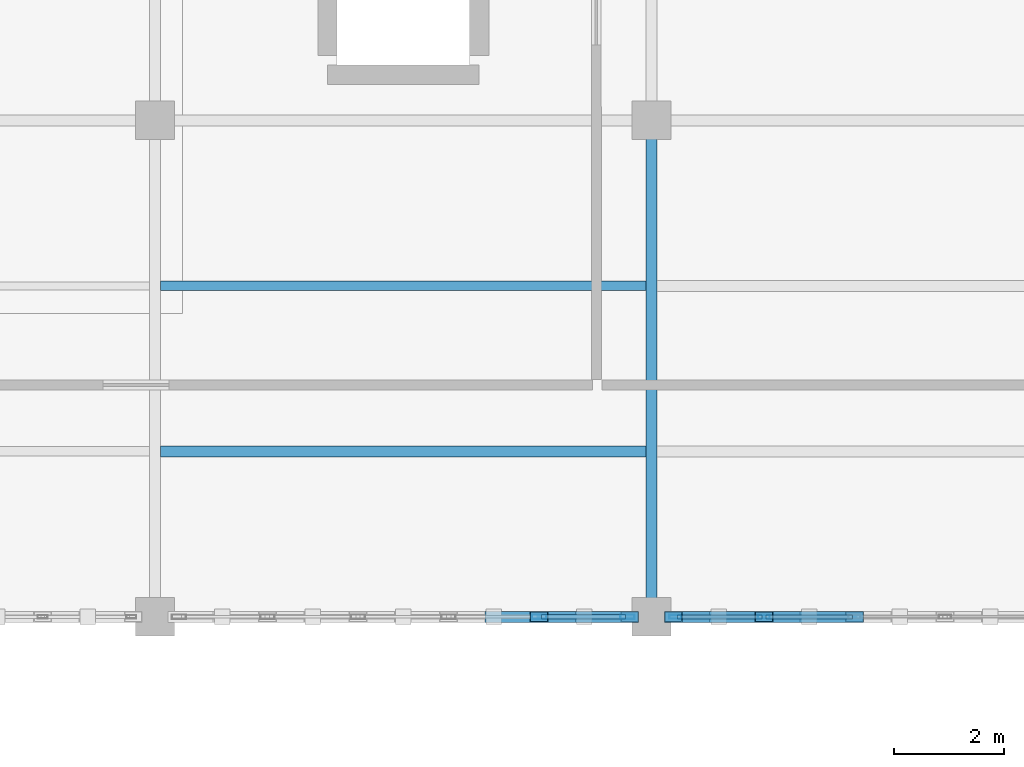
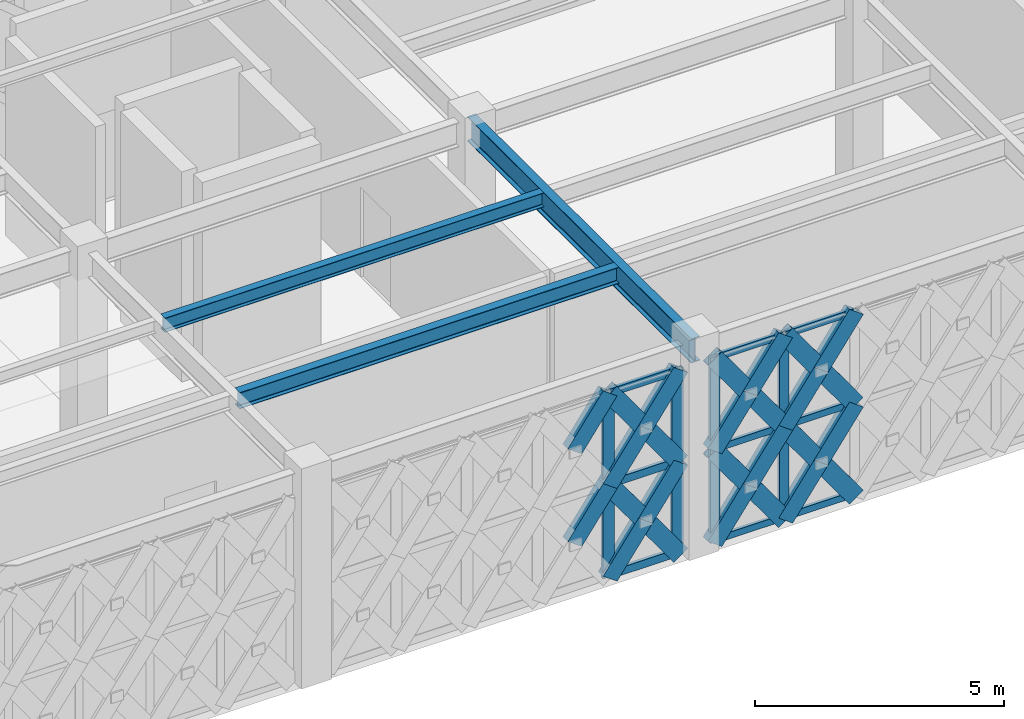
# One storey, part 8 of 72: 33 members, 3 beams, 2 elements without a shape of their own.
"""IFC4 building model written with IfcOpenShell, lengths in metres."""

from ifc_helpers import new_model, si_unit, direction, frame, origin, origin_2d, place, context, subcontext, project, spatial, hollow_rectangle, i_section, extrude, material, material_profile, profile_set, type_object, element, aggregate, save


model = new_model("IFC4")

# Units and contexts
model_context = context("Model", 3, precision=1e-05, world=origin(), true_north=direction((0.0, 1.0)))
body_context = subcontext(model_context, "Body", "Model", "MODEL_VIEW")
ifc_project = project(units=[si_unit("LENGTHUNIT", "METRE"), si_unit("AREAUNIT", "SQUARE_METRE"), si_unit("VOLUMEUNIT", "CUBIC_METRE"), si_unit("PLANEANGLEUNIT", "RADIAN"), si_unit("MASSUNIT", "GRAM", prefix="KILO")], contexts=[model_context])

# Site, building, storey
site_placement = place(None, origin())
site = spatial("IfcSite", under=ifc_project, at=site_placement, CompositionType="ELEMENT")
building_placement = place(site_placement, origin())
building = spatial("IfcBuilding", under=site, at=building_placement, Name="Haizhuo Lancet Aquarium", CompositionType="ELEMENT")
storey_placement = place(building_placement, frame((0.0, 0.0, 21.60009765625)))
storey = spatial("IfcBuildingStorey", under=building, at=storey_placement, Name="L04", CompositionType="ELEMENT", Elevation=21.60009765625)

# Beam
ifc_material_1 = material(Name="Steel S355", Category="steel")
ifc_material_profile_1 = material_profile(ifc_material_1, i_section(OverallWidth=0.199951171875, OverallDepth=0.60009765625, WebThickness=0.010986328125, FlangeThickness=0.01708984375, FilletRadius=0.02197265625, at=origin_2d()), Name="HN 600x200x11x17")
ifc_profile_set_1 = profile_set([ifc_material_profile_1], Name="Steel S355")
beam_type_1 = type_object("IfcBeamType", Name="BM-ST-HN600", PredefinedType="BEAM", material=ifc_profile_set_1)
beam_1_placement = place(storey_placement, frame((-54.0, -27.0, 4.849853515625), z_axis=(0.0, 1.0, 0.0), x_axis=(-1.0, 0.0, 0.0)))
element("IfcBeam", 1, at=beam_1_placement, inside=storey, type_object=beam_type_1, Name="L04 V6 primary girder BM-L04-V6-014", PredefinedType="BEAM", context=body_context, shape_type="SweptSolid", body=[
    extrude(i_section(OverallWidth=0.199951171875, OverallDepth=0.60009765625, WebThickness=0.010986328125, FlangeThickness=0.01708984375, FilletRadius=0.02197265625, at=origin_2d()), origin(), (0.0, 0.0, 1.0), 9.0),
])

# Curtain wall, members
ifc_material_2 = material(Name="Aluminium 6063-T6", Category="aluminium")
curtain_wall_type = type_object("IfcCurtainWallType", Name="CWD-8210x4550", PredefinedType="NOTDEFINED", material=ifc_material_2)
curtain_wall_1_placement = place(storey_placement, origin())
curtain_wall_1 = element("IfcCurtainWall", 2, at=curtain_wall_1_placement, inside=storey, type_object=curtain_wall_type, Name="L04 curtain wall CW-V6-L04-254", PredefinedType="NOTDEFINED")
ifc_material_profile_2 = material_profile(ifc_material_2, hollow_rectangle(XDim=0.074951171875, YDim=0.219970703125, WallThickness=0.0048828125, at=origin_2d()), Name="ALU-M 75x220x5")
ifc_profile_set_2 = profile_set([ifc_material_profile_2], Name="Aluminium 6063-T6")
member_type_1 = type_object("IfcMemberType", Name="CW-MUL-2", PredefinedType="MULLION", material=ifc_profile_set_2)
member_1_placement = place(storey_placement, frame((-51.962890625, -27.0, 0.0), z_axis=(0.0, 0.0, 1.0), x_axis=(0.0, -1.0, 0.0)))
member_1 = element("IfcMember", 3, at=member_1_placement, type_object=member_type_1, Name="CWD-82x45 mullion 5", PredefinedType="MULLION", context=body_context, shape_type="SweptSolid", body=[
    extrude(hollow_rectangle(XDim=0.074951171875, YDim=0.219970703125, WallThickness=0.0048828125, at=origin_2d()), origin(), (0.0, 0.0, 1.0), 4.5498046875),
])
member_2_placement = place(storey_placement, frame((-53.56689453125, -27.0, 0.0), z_axis=(0.0, 0.0, 1.0), x_axis=(0.0, -1.0, 0.0)))
member_2 = element("IfcMember", 4, at=member_2_placement, type_object=member_type_1, Name="CWD-82x45 mullion 6", PredefinedType="MULLION", context=body_context, shape_type="SweptSolid", body=[
    extrude(hollow_rectangle(XDim=0.074951171875, YDim=0.219970703125, WallThickness=0.0048828125, at=origin_2d()), origin(), (0.0, 0.0, 1.0), 4.5498046875),
])

curtain_wall_2_placement = place(storey_placement, origin())
curtain_wall_2 = element("IfcCurtainWall", 5, at=curtain_wall_2_placement, inside=storey, type_object=curtain_wall_type, Name="L04 curtain wall CW-V6-L04-255", PredefinedType="NOTDEFINED")
ifc_material_profile_3 = material_profile(ifc_material_2, hollow_rectangle(XDim=0.080078125, YDim=0.260009765625, WallThickness=0.0048828125, at=origin_2d()), Name="ALU-M 80x260x5")
ifc_profile_set_3 = profile_set([ifc_material_profile_3], Name="Aluminium 6063-T6")
member_type_2 = type_object("IfcMemberType", Name="CW-MUL-3", PredefinedType="MULLION", material=ifc_profile_set_3)
member_3_placement = place(storey_placement, frame((-54.43505859375, -27.0, 0.0), z_axis=(0.0, 0.0, 1.0), x_axis=(0.0, -1.0, 0.0)))
member_3 = element("IfcMember", 6, at=member_3_placement, type_object=member_type_2, Name="CWD-82x45 mullion 1", PredefinedType="MULLION", context=body_context, shape_type="SweptSolid", body=[
    extrude(hollow_rectangle(XDim=0.080078125, YDim=0.260009765625, WallThickness=0.0048828125, at=origin_2d()), origin(), (0.0, 0.0, 1.0), 4.5498046875),
])
member_4_placement = place(storey_placement, frame((-56.037109375, -27.0, 0.0), z_axis=(0.0, 0.0, 1.0), x_axis=(0.0, -1.0, 0.0)))
member_4 = element("IfcMember", 7, at=member_4_placement, type_object=member_type_2, Name="CWD-82x45 mullion 2", PredefinedType="MULLION", context=body_context, shape_type="SweptSolid", body=[
    extrude(hollow_rectangle(XDim=0.080078125, YDim=0.260009765625, WallThickness=0.0048828125, at=origin_2d()), origin(), (0.0, 0.0, 1.0), 4.5498046875),
])

# Member
ifc_material_profile_4 = material_profile(ifc_material_2, hollow_rectangle(XDim=0.074951171875, YDim=0.159912109375, WallThickness=0.00390625, at=origin_2d()), Name="ALU-T 75x160x4")
ifc_profile_set_4 = profile_set([ifc_material_profile_4], Name="Aluminium 6063-T6")
member_type_3 = type_object("IfcMemberType", Name="CW-TRN-2", PredefinedType="NOTDEFINED", material=ifc_profile_set_4)
member_5_placement = place(storey_placement, frame((-50.35791015625, -27.0, 0.037841796875), z_axis=(-1.0, 0.0, 0.0), x_axis=(0.0, -1.0, 0.0)))
member_5 = element("IfcMember", 8, at=member_5_placement, type_object=member_type_3, Name="CWD-82x45 transom 4.1", ObjectType="TRANSOM", PredefinedType="USERDEFINED", context=body_context, shape_type="SweptSolid", body=[
    extrude(hollow_rectangle(XDim=0.074951171875, YDim=0.159912109375, WallThickness=0.00390625, at=origin_2d()), origin(), (0.0, 0.0, 1.0), 1.567138671875),
])

member_6_placement = place(storey_placement, frame((-50.35791015625, -27.0, 2.27490234375), z_axis=(-1.0, 0.0, 0.0), x_axis=(0.0, -1.0, 0.0)))
member_6 = element("IfcMember", 9, at=member_6_placement, type_object=member_type_3, Name="CWD-82x45 transom 4.2", ObjectType="TRANSOM", PredefinedType="USERDEFINED", context=body_context, shape_type="SweptSolid", body=[
    extrude(hollow_rectangle(XDim=0.074951171875, YDim=0.159912109375, WallThickness=0.00390625, at=origin_2d()), origin(), (0.0, 0.0, 1.0), 1.567138671875),
])

member_7_placement = place(storey_placement, frame((-50.35791015625, -27.0, 4.511962890625), z_axis=(-1.0, 0.0, 0.0), x_axis=(0.0, -1.0, 0.0)))
member_7 = element("IfcMember", 10, at=member_7_placement, type_object=member_type_3, Name="CWD-82x45 transom 4.3", ObjectType="TRANSOM", PredefinedType="USERDEFINED", context=body_context, shape_type="SweptSolid", body=[
    extrude(hollow_rectangle(XDim=0.074951171875, YDim=0.159912109375, WallThickness=0.00390625, at=origin_2d()), origin(), (0.0, 0.0, 1.0), 1.567138671875),
])

member_8_placement = place(storey_placement, frame((-52.0, -27.0, 0.037841796875), z_axis=(-1.0, 0.0, 0.0), x_axis=(0.0, -1.0, 0.0)))
member_8 = element("IfcMember", 11, at=member_8_placement, type_object=member_type_3, Name="CWD-82x45 transom 5.1", ObjectType="TRANSOM", PredefinedType="USERDEFINED", context=body_context, shape_type="SweptSolid", body=[
    extrude(hollow_rectangle(XDim=0.074951171875, YDim=0.159912109375, WallThickness=0.00390625, at=origin_2d()), origin(), (0.0, 0.0, 1.0), 1.530029296875),
])

member_9_placement = place(storey_placement, frame((-52.0, -27.0, 2.27490234375), z_axis=(-1.0, 0.0, 0.0), x_axis=(0.0, -1.0, 0.0)))
member_9 = element("IfcMember", 12, at=member_9_placement, type_object=member_type_3, Name="CWD-82x45 transom 5.2", ObjectType="TRANSOM", PredefinedType="USERDEFINED", context=body_context, shape_type="SweptSolid", body=[
    extrude(hollow_rectangle(XDim=0.074951171875, YDim=0.159912109375, WallThickness=0.00390625, at=origin_2d()), origin(), (0.0, 0.0, 1.0), 1.530029296875),
])

member_10_placement = place(storey_placement, frame((-52.0, -27.0, 4.511962890625), z_axis=(-1.0, 0.0, 0.0), x_axis=(0.0, -1.0, 0.0)))
member_10 = element("IfcMember", 13, at=member_10_placement, type_object=member_type_3, Name="CWD-82x45 transom 5.3", ObjectType="TRANSOM", PredefinedType="USERDEFINED", context=body_context, shape_type="SweptSolid", body=[
    extrude(hollow_rectangle(XDim=0.074951171875, YDim=0.159912109375, WallThickness=0.00390625, at=origin_2d()), origin(), (0.0, 0.0, 1.0), 1.530029296875),
])

aggregate(curtain_wall_1, [member_1, member_2, member_5, member_6, member_7, member_8, member_9, member_10])

ifc_material_profile_5 = material_profile(ifc_material_2, hollow_rectangle(XDim=0.080078125, YDim=0.18994140625, WallThickness=0.0048828125, at=origin_2d()), Name="ALU-T 80x190x5")
ifc_profile_set_5 = profile_set([ifc_material_profile_5], Name="Aluminium 6063-T6")
member_type_4 = type_object("IfcMemberType", Name="CW-TRN-3", PredefinedType="NOTDEFINED", material=ifc_profile_set_5)
member_11_placement = place(storey_placement, frame((-54.47509765625, -27.0, 0.039794921875), z_axis=(-1.0, 0.0, 0.0), x_axis=(0.0, -1.0, 0.0)))
member_11 = element("IfcMember", 14, at=member_11_placement, type_object=member_type_4, Name="CWD-82x45 transom 1.1", ObjectType="TRANSOM", PredefinedType="USERDEFINED", context=body_context, shape_type="SweptSolid", body=[
    extrude(hollow_rectangle(XDim=0.080078125, YDim=0.18994140625, WallThickness=0.0048828125, at=origin_2d()), origin(), (0.0, 0.0, 1.0), 1.52197265625),
])

member_12_placement = place(storey_placement, frame((-54.47509765625, -27.0, 2.27490234375), z_axis=(-1.0, 0.0, 0.0), x_axis=(0.0, -1.0, 0.0)))
member_12 = element("IfcMember", 15, at=member_12_placement, type_object=member_type_4, Name="CWD-82x45 transom 1.2", ObjectType="TRANSOM", PredefinedType="USERDEFINED", context=body_context, shape_type="SweptSolid", body=[
    extrude(hollow_rectangle(XDim=0.080078125, YDim=0.18994140625, WallThickness=0.0048828125, at=origin_2d()), origin(), (0.0, 0.0, 1.0), 1.52197265625),
])

member_13_placement = place(storey_placement, frame((-54.47509765625, -27.0, 4.510009765625), z_axis=(-1.0, 0.0, 0.0), x_axis=(0.0, -1.0, 0.0)))
member_13 = element("IfcMember", 16, at=member_13_placement, type_object=member_type_4, Name="CWD-82x45 transom 1.3", ObjectType="TRANSOM", PredefinedType="USERDEFINED", context=body_context, shape_type="SweptSolid", body=[
    extrude(hollow_rectangle(XDim=0.080078125, YDim=0.18994140625, WallThickness=0.0048828125, at=origin_2d()), origin(), (0.0, 0.0, 1.0), 1.52197265625),
])

aggregate(curtain_wall_2, [member_3, member_4, member_11, member_12, member_13])

# Beams
ifc_material_profile_6 = material_profile(ifc_material_1, i_section(OverallWidth=0.175048828125, OverallDepth=0.35009765625, WebThickness=0.007080078125, FlangeThickness=0.010986328125, FilletRadius=0.013916015625, at=origin_2d()), Name="HN 350x175x7x11")
ifc_profile_set_6 = profile_set([ifc_material_profile_6], Name="Steel S355")
beam_type_2 = type_object("IfcBeamType", Name="JST-ST-HN350", PredefinedType="JOIST", material=ifc_profile_set_6)
beam_2_placement = place(storey_placement, frame((-62.89990234375, -21.0, 4.974853515625), z_axis=(1.0, 0.0, 0.0), x_axis=(0.0, 1.0, 0.0)))
element("IfcBeam", 17, at=beam_2_placement, inside=storey, type_object=beam_type_2, Name="L04 V6 secondary floor joist 8", PredefinedType="JOIST", context=body_context, shape_type="SweptSolid", body=[
    extrude(i_section(OverallWidth=0.175048828125, OverallDepth=0.35009765625, WebThickness=0.007080078125, FlangeThickness=0.010986328125, FilletRadius=0.013916015625, at=origin_2d()), origin(), (0.0, 0.0, 1.0), 8.7998046875),
])
ifc_material_profile_7 = material_profile(ifc_material_1, i_section(OverallWidth=0.199951171875, OverallDepth=0.39990234375, WebThickness=0.008056640625, FlangeThickness=0.012939453125, FilletRadius=0.01611328125, at=origin_2d()), Name="HN 400x200x8x13")
ifc_profile_set_7 = profile_set([ifc_material_profile_7], Name="Steel S355")
beam_type_3 = type_object("IfcBeamType", Name="JST-ST-HN400", PredefinedType="JOIST", material=ifc_profile_set_7)
beam_3_placement = place(storey_placement, frame((-62.89990234375, -24.0, 4.949951171875), z_axis=(1.0, 0.0, 0.0), x_axis=(0.0, 1.0, 0.0)))
element("IfcBeam", 18, at=beam_3_placement, inside=storey, type_object=beam_type_3, Name="L04 V6 secondary floor joist 7", PredefinedType="JOIST", context=body_context, shape_type="SweptSolid", body=[
    extrude(i_section(OverallWidth=0.199951171875, OverallDepth=0.39990234375, WebThickness=0.008056640625, FlangeThickness=0.012939453125, FilletRadius=0.01611328125, at=origin_2d()), origin(), (0.0, 0.0, 1.0), 8.7998046875),
])

# Members
ifc_material_profile_8 = material_profile(ifc_material_1, hollow_rectangle(XDim=0.199951171875, YDim=0.39990234375, WallThickness=0.011962890625, at=origin_2d()), Name="RHS 200x400x12")
ifc_profile_set_8 = profile_set([ifc_material_profile_8], Name="Steel S355")
member_type_5 = type_object("IfcMemberType", Name="MEM-LB-RHS200x400", PredefinedType="BRACE", material=ifc_profile_set_8)
member_14_placement = place(storey_placement, frame((-50.321044921875, -27.0, 0.0), z_axis=(-0.585223630803, 0.0, 0.810871939304), x_axis=(0.0, -1.0, 0.0)))
element("IfcMember", 19, at=member_14_placement, inside=storey, type_object=member_type_5, Name="Gothic lancet continuous diagonal brace CW-V6-L04-254 7A", PredefinedType="BRACE", context=body_context, shape_type="SweptSolid", body=[
    extrude(hollow_rectangle(XDim=0.199951171875, YDim=0.39990234375, WallThickness=0.011962890625, at=origin_2d()), origin(), (0.0, 0.0, 1.0), 2.805419921875),
])
member_15_placement = place(storey_placement, frame((-51.962890625, -27.0, 0.0), z_axis=(0.585001259689, 0.0, 0.81103238293), x_axis=(0.0, 1.0, 0.0)))
element("IfcMember", 20, at=member_15_placement, inside=storey, type_object=member_type_5, Name="Gothic lancet split diagonal brace CW-V6-L04-254 7B1", PredefinedType="BRACE", context=body_context, shape_type="SweptSolid", body=[
    extrude(hollow_rectangle(XDim=0.199951171875, YDim=0.39990234375, WallThickness=0.011962890625, at=origin_2d()), origin(), (0.0, 0.0, 1.0), 1.403076171875),
])
member_16_placement = place(storey_placement, frame((-51.14208984375, -27.0, 1.137939453125), z_axis=(0.585446060787, 0.0, 0.810711360417), x_axis=(0.0, 1.0, 0.0)))
element("IfcMember", 21, at=member_16_placement, inside=storey, type_object=member_type_5, Name="Gothic lancet split diagonal brace CW-V6-L04-254 7B2", PredefinedType="BRACE", context=body_context, shape_type="SweptSolid", body=[
    extrude(hollow_rectangle(XDim=0.199951171875, YDim=0.39990234375, WallThickness=0.011962890625, at=origin_2d()), origin(), (0.0, 0.0, 1.0), 1.40234375),
])
member_17_placement = place(storey_placement, frame((-50.321044921875, -27.0, 2.27490234375), z_axis=(-0.585223630803, 0.0, 0.810871939304), x_axis=(0.0, -1.0, 0.0)))
element("IfcMember", 22, at=member_17_placement, inside=storey, type_object=member_type_5, Name="Gothic lancet continuous diagonal brace CW-V6-L04-254 8A", PredefinedType="BRACE", context=body_context, shape_type="SweptSolid", body=[
    extrude(hollow_rectangle(XDim=0.199951171875, YDim=0.39990234375, WallThickness=0.011962890625, at=origin_2d()), origin(), (0.0, 0.0, 1.0), 2.805419921875),
])
member_18_placement = place(storey_placement, frame((-51.962890625, -27.0, 2.27490234375), z_axis=(0.585331625772, 0.0, 0.810793986085), x_axis=(0.0, 1.0, 0.0)))
element("IfcMember", 23, at=member_18_placement, inside=storey, type_object=member_type_5, Name="Gothic lancet split diagonal brace CW-V6-L04-254 8B1", PredefinedType="BRACE", context=body_context, shape_type="SweptSolid", body=[
    extrude(hollow_rectangle(XDim=0.199951171875, YDim=0.39990234375, WallThickness=0.011962890625, at=origin_2d()), origin(), (0.0, 0.0, 1.0), 1.40234375),
])
member_19_placement = place(storey_placement, frame((-51.14208984375, -27.0, 3.411865234375), z_axis=(0.585115697402, 0.0, 0.810949826224), x_axis=(0.0, 1.0, 0.0)))
element("IfcMember", 24, at=member_19_placement, inside=storey, type_object=member_type_5, Name="Gothic lancet split diagonal brace CW-V6-L04-254 8B2", PredefinedType="BRACE", context=body_context, shape_type="SweptSolid", body=[
    extrude(hollow_rectangle(XDim=0.199951171875, YDim=0.39990234375, WallThickness=0.011962890625, at=origin_2d()), origin(), (0.0, 0.0, 1.0), 1.4033203125),
])
member_20_placement = place(storey_placement, frame((-51.962890625, -27.0, 0.0), z_axis=(-0.585280844621, 0.0, 0.810830643797), x_axis=(0.0, -1.0, 0.0)))
element("IfcMember", 25, at=member_20_placement, inside=storey, type_object=member_type_5, Name="Gothic lancet continuous diagonal brace CW-V6-L04-254 9A", PredefinedType="BRACE", context=body_context, shape_type="SweptSolid", body=[
    extrude(hollow_rectangle(XDim=0.199951171875, YDim=0.39990234375, WallThickness=0.011962890625, at=origin_2d()), origin(), (0.0, 0.0, 1.0), 2.8056640625),
])
member_21_placement = place(storey_placement, frame((-53.60498046875, -27.0, 0.0), z_axis=(0.585115697402, 0.0, 0.810949826224), x_axis=(0.0, 1.0, 0.0)))
element("IfcMember", 26, at=member_21_placement, inside=storey, type_object=member_type_5, Name="Gothic lancet split diagonal brace CW-V6-L04-254 9B1", PredefinedType="BRACE", context=body_context, shape_type="SweptSolid", body=[
    extrude(hollow_rectangle(XDim=0.199951171875, YDim=0.39990234375, WallThickness=0.011962890625, at=origin_2d()), origin(), (0.0, 0.0, 1.0), 1.4033203125),
])
member_22_placement = place(storey_placement, frame((-52.783935546875, -27.0, 1.137939453125), z_axis=(0.585446060787, 0.0, 0.810711360417), x_axis=(0.0, 1.0, 0.0)))
element("IfcMember", 27, at=member_22_placement, inside=storey, type_object=member_type_5, Name="Gothic lancet split diagonal brace CW-V6-L04-254 9B2", PredefinedType="BRACE", context=body_context, shape_type="SweptSolid", body=[
    extrude(hollow_rectangle(XDim=0.199951171875, YDim=0.39990234375, WallThickness=0.011962890625, at=origin_2d()), origin(), (0.0, 0.0, 1.0), 1.40234375),
])
member_23_placement = place(storey_placement, frame((-51.962890625, -27.0, 2.27490234375), z_axis=(-0.585280844621, 0.0, 0.810830643797), x_axis=(0.0, -1.0, 0.0)))
element("IfcMember", 28, at=member_23_placement, inside=storey, type_object=member_type_5, Name="Gothic lancet continuous diagonal brace CW-V6-L04-254 10A", PredefinedType="BRACE", context=body_context, shape_type="SweptSolid", body=[
    extrude(hollow_rectangle(XDim=0.199951171875, YDim=0.39990234375, WallThickness=0.011962890625, at=origin_2d()), origin(), (0.0, 0.0, 1.0), 2.8056640625),
])
member_24_placement = place(storey_placement, frame((-53.60498046875, -27.0, 2.27490234375), z_axis=(0.585446060787, 0.0, 0.810711360417), x_axis=(0.0, 1.0, 0.0)))
element("IfcMember", 29, at=member_24_placement, inside=storey, type_object=member_type_5, Name="Gothic lancet split diagonal brace CW-V6-L04-254 10B1", PredefinedType="BRACE", context=body_context, shape_type="SweptSolid", body=[
    extrude(hollow_rectangle(XDim=0.199951171875, YDim=0.39990234375, WallThickness=0.011962890625, at=origin_2d()), origin(), (0.0, 0.0, 1.0), 1.40234375),
])
member_25_placement = place(storey_placement, frame((-52.783935546875, -27.0, 3.411865234375), z_axis=(0.585115697402, 0.0, 0.810949826224), x_axis=(0.0, 1.0, 0.0)))
element("IfcMember", 30, at=member_25_placement, inside=storey, type_object=member_type_5, Name="Gothic lancet split diagonal brace CW-V6-L04-254 10B2", PredefinedType="BRACE", context=body_context, shape_type="SweptSolid", body=[
    extrude(hollow_rectangle(XDim=0.199951171875, YDim=0.39990234375, WallThickness=0.011962890625, at=origin_2d()), origin(), (0.0, 0.0, 1.0), 1.4033203125),
])
member_26_placement = place(storey_placement, frame((-54.39501953125, -27.0, 0.0), z_axis=(-0.585280844621, 0.0, 0.810830643797), x_axis=(0.0, -1.0, 0.0)))
element("IfcMember", 31, at=member_26_placement, inside=storey, type_object=member_type_5, Name="Gothic lancet continuous diagonal brace CW-V6-L04-255 1A", PredefinedType="BRACE", context=body_context, shape_type="SweptSolid", body=[
    extrude(hollow_rectangle(XDim=0.199951171875, YDim=0.39990234375, WallThickness=0.011962890625, at=origin_2d()), origin(), (0.0, 0.0, 1.0), 2.8056640625),
])
member_27_placement = place(storey_placement, frame((-56.037109375, -27.0, 0.0), z_axis=(0.585115697402, 0.0, 0.810949826224), x_axis=(0.0, 1.0, 0.0)))
element("IfcMember", 32, at=member_27_placement, inside=storey, type_object=member_type_5, Name="Gothic lancet split diagonal brace CW-V6-L04-255 1B1", PredefinedType="BRACE", context=body_context, shape_type="SweptSolid", body=[
    extrude(hollow_rectangle(XDim=0.199951171875, YDim=0.39990234375, WallThickness=0.011962890625, at=origin_2d()), origin(), (0.0, 0.0, 1.0), 1.4033203125),
])
member_28_placement = place(storey_placement, frame((-55.216064453125, -27.0, 1.137939453125), z_axis=(0.585446060787, 0.0, 0.810711360417), x_axis=(0.0, 1.0, 0.0)))
element("IfcMember", 33, at=member_28_placement, inside=storey, type_object=member_type_5, Name="Gothic lancet split diagonal brace CW-V6-L04-255 1B2", PredefinedType="BRACE", context=body_context, shape_type="SweptSolid", body=[
    extrude(hollow_rectangle(XDim=0.199951171875, YDim=0.39990234375, WallThickness=0.011962890625, at=origin_2d()), origin(), (0.0, 0.0, 1.0), 1.40234375),
])
member_29_placement = place(storey_placement, frame((-54.39501953125, -27.0, 2.27490234375), z_axis=(-0.585280844621, 0.0, 0.810830643797), x_axis=(0.0, -1.0, 0.0)))
element("IfcMember", 34, at=member_29_placement, inside=storey, type_object=member_type_5, Name="Gothic lancet continuous diagonal brace CW-V6-L04-255 2A", PredefinedType="BRACE", context=body_context, shape_type="SweptSolid", body=[
    extrude(hollow_rectangle(XDim=0.199951171875, YDim=0.39990234375, WallThickness=0.011962890625, at=origin_2d()), origin(), (0.0, 0.0, 1.0), 2.8056640625),
])
member_30_placement = place(storey_placement, frame((-56.037109375, -27.0, 2.27490234375), z_axis=(0.585446060787, 0.0, 0.810711360417), x_axis=(0.0, 1.0, 0.0)))
element("IfcMember", 35, at=member_30_placement, inside=storey, type_object=member_type_5, Name="Gothic lancet split diagonal brace CW-V6-L04-255 2B1", PredefinedType="BRACE", context=body_context, shape_type="SweptSolid", body=[
    extrude(hollow_rectangle(XDim=0.199951171875, YDim=0.39990234375, WallThickness=0.011962890625, at=origin_2d()), origin(), (0.0, 0.0, 1.0), 1.40234375),
])
member_31_placement = place(storey_placement, frame((-55.216064453125, -27.0, 3.411865234375), z_axis=(0.585115697402, 0.0, 0.810949826224), x_axis=(0.0, 1.0, 0.0)))
element("IfcMember", 36, at=member_31_placement, inside=storey, type_object=member_type_5, Name="Gothic lancet split diagonal brace CW-V6-L04-255 2B2", PredefinedType="BRACE", context=body_context, shape_type="SweptSolid", body=[
    extrude(hollow_rectangle(XDim=0.199951171875, YDim=0.39990234375, WallThickness=0.011962890625, at=origin_2d()), origin(), (0.0, 0.0, 1.0), 1.4033203125),
])
member_32_placement = place(storey_placement, frame((-56.85791015625, -27.0, 1.137939453125), z_axis=(0.585331625772, 0.0, 0.810793986085), x_axis=(0.0, 1.0, 0.0)))
element("IfcMember", 37, at=member_32_placement, inside=storey, type_object=member_type_5, Name="Gothic lancet split diagonal brace CW-V6-L04-255 3B2", PredefinedType="BRACE", context=body_context, shape_type="SweptSolid", body=[
    extrude(hollow_rectangle(XDim=0.199951171875, YDim=0.39990234375, WallThickness=0.011962890625, at=origin_2d()), origin(), (0.0, 0.0, 1.0), 1.40234375),
])
member_33_placement = place(storey_placement, frame((-56.85791015625, -27.0, 3.411865234375), z_axis=(0.585001259689, 0.0, 0.81103238293), x_axis=(0.0, 1.0, 0.0)))
element("IfcMember", 38, at=member_33_placement, inside=storey, type_object=member_type_5, Name="Gothic lancet split diagonal brace CW-V6-L04-255 4B2", PredefinedType="BRACE", context=body_context, shape_type="SweptSolid", body=[
    extrude(hollow_rectangle(XDim=0.199951171875, YDim=0.39990234375, WallThickness=0.011962890625, at=origin_2d()), origin(), (0.0, 0.0, 1.0), 1.403076171875),
])

save(model, "model.ifc")
